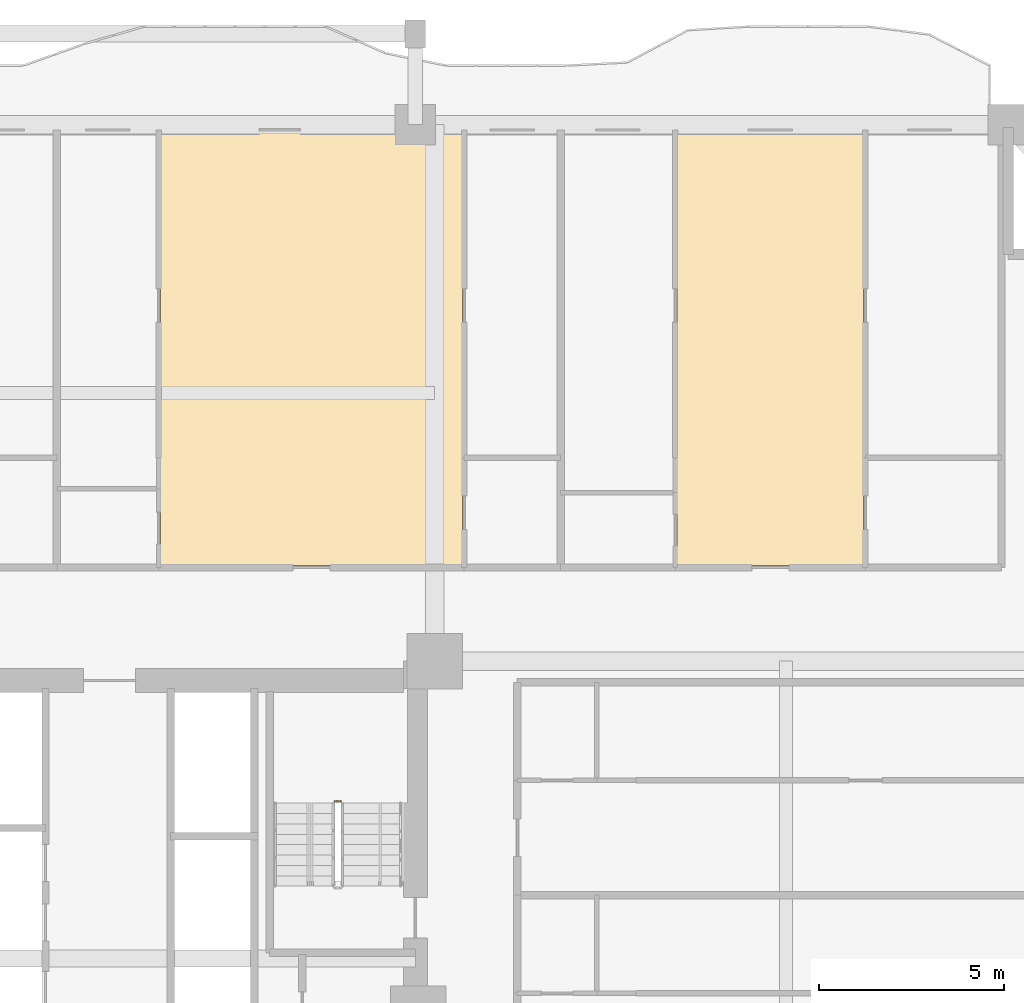
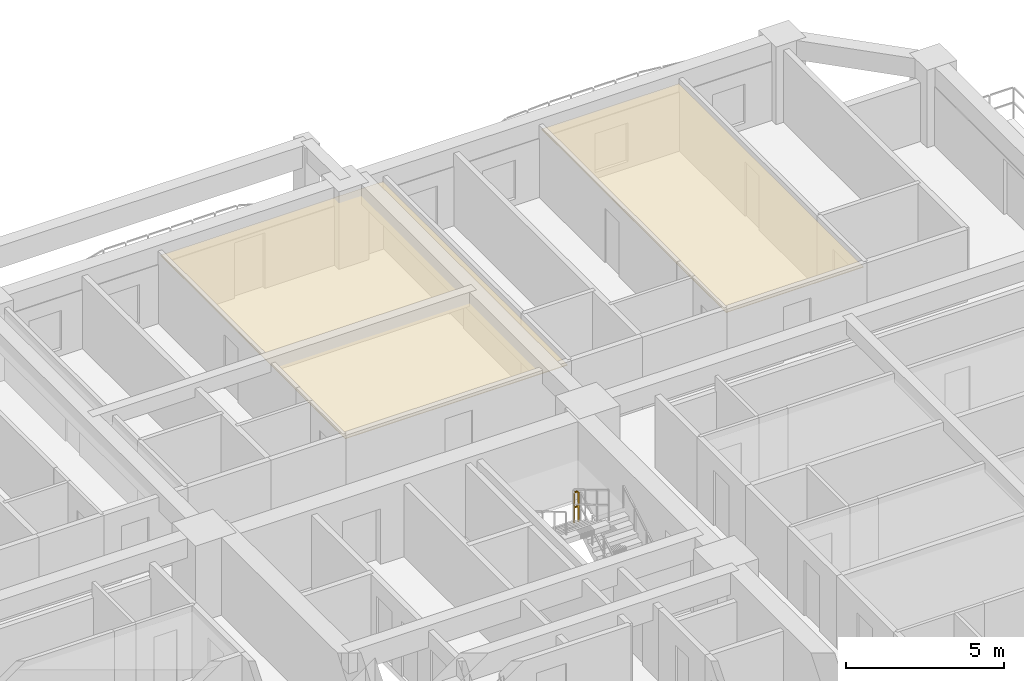
# One storey, part 16 of 16: 2 coverings, 1 railing.
"""IFC4 building model written with IfcOpenShell, lengths in metres."""

from ifc_helpers import new_model, si_unit, direction, frame, origin, origin_2d, place, context, subcontext, project, spatial, polyline, rectangle, outline, extrude, material, layer, layer_set, type_object, element, save


model = new_model("IFC4")

# Units and contexts
model_context = context("Model", 3, precision=1e-05, world=origin(), true_north=direction((0.0, 1.0)))
body_context = subcontext(model_context, "Body", "Model", "MODEL_VIEW")
ifc_project = project(units=[si_unit("LENGTHUNIT", "METRE"), si_unit("AREAUNIT", "SQUARE_METRE"), si_unit("VOLUMEUNIT", "CUBIC_METRE"), si_unit("PLANEANGLEUNIT", "RADIAN"), si_unit("MASSUNIT", "GRAM", prefix="KILO")], contexts=[model_context])

# Site, building, storey
site_placement = place(None, origin())
site = spatial("IfcSite", under=ifc_project, at=site_placement, CompositionType="ELEMENT")
building_placement = place(site_placement, origin())
building = spatial("IfcBuilding", under=site, at=building_placement, Name="Saelheon Loggia Tower", CompositionType="ELEMENT")
storey_placement = place(building_placement, frame((0.0, 0.0, 58.39990234375)))
storey = spatial("IfcBuildingStorey", under=building, at=storey_placement, Name="L18", CompositionType="ELEMENT", Elevation=58.39990234375)

# Coverings
ifc_material_1 = material(Name="Mineral-Fibre Acoustic Ceiling Board", Category="gypsum")
ifc_layer = layer(ifc_material_1, 0.02490234375)
ifc_layer_set = layer_set([ifc_layer], Name="Mineral-Fibre Acoustic Ceiling Board")
covering_type = type_object("IfcCoveringType", Name="Cov_Ceiling_Acoustic", PredefinedType="CEILING", material=ifc_layer_set)
covering_1_placement = place(storey_placement, frame((0.0, 0.0, 2.53515625)))
element("IfcCovering", 1, at=covering_1_placement, inside=storey, type_object=covering_type, Name="L18 Acoustic Suspended Ceiling", PredefinedType="CEILING", context=body_context, shape_type="SweptSolid", body=[
    extrude(outline(polyline([(37.6259765625, 39.10009765625), (45.77001953125, 39.10009765625), (45.77001953125, 50.800048828125), (37.6259765625, 50.800048828125), (37.6259765625, 39.10009765625)])), origin(), (0.0, 0.0, 1.0), 0.02490234375),
])
covering_2_placement = place(storey_placement, frame((0.0, 0.0, 2.53515625)))
element("IfcCovering", 2, at=covering_2_placement, inside=storey, type_object=covering_type, Name="L18 Acoustic Suspended Ceiling", PredefinedType="CEILING", context=body_context, shape_type="SweptSolid", body=[
    extrude(outline(polyline([(51.566162109375, 39.10009765625), (56.593505859375, 39.10009765625), (56.593505859375, 50.800048828125), (51.566162109375, 50.800048828125), (51.566162109375, 39.10009765625)])), origin(), (0.0, 0.0, 1.0), 0.02490234375),
])

# Railing
ifc_material_2 = material(Name="Galvanised Steel S275 Stairwell Guardrail", Category="steel")
railing_type = type_object("IfcRailingType", Name="Guard_StairWell_RL_STG", PredefinedType="GUARDRAIL", material=ifc_material_2)
railing_placement = place(storey_placement, frame((42.489990234375, 32.739990234375, 1.5)))
element("IfcRailing", 3, at=railing_placement, inside=storey, type_object=railing_type, Name="L18 ST2 stair guard 2", PredefinedType="GUARDRAIL", context=body_context, shape_type="SweptSolid", body=[
    extrude(rectangle(XDim=0.048095703125, YDim=0.048095703125, at=origin_2d()), frame((-0.033203125, 0.0, 1.17578125), z_axis=(-1.0, 0.0, 0.0), x_axis=(0.0, -1.0, 0.0)), (0.0, 0.0, 1.0), 0.093505859375),
    extrude(rectangle(XDim=0.048095703125, YDim=0.048095703125, at=origin_2d()), frame((-0.033203125, 0.0, 0.60009765625), z_axis=(-1.0, 0.0, 0.0), x_axis=(0.0, -1.0, 0.0)), (0.0, 0.0, 1.0), 0.093505859375),
    extrude(rectangle(XDim=0.0419921875, YDim=0.0419921875, at=origin_2d()), origin(), (0.0, 0.0, 1.0), 1.14794921875),
    extrude(rectangle(XDim=0.0419921875, YDim=0.0419921875, at=origin_2d()), frame((-0.159912109375, 0.0, 0.0)), (0.0, 0.0, 1.0), 1.14794921875),
])

save(model, "model.ifc")
